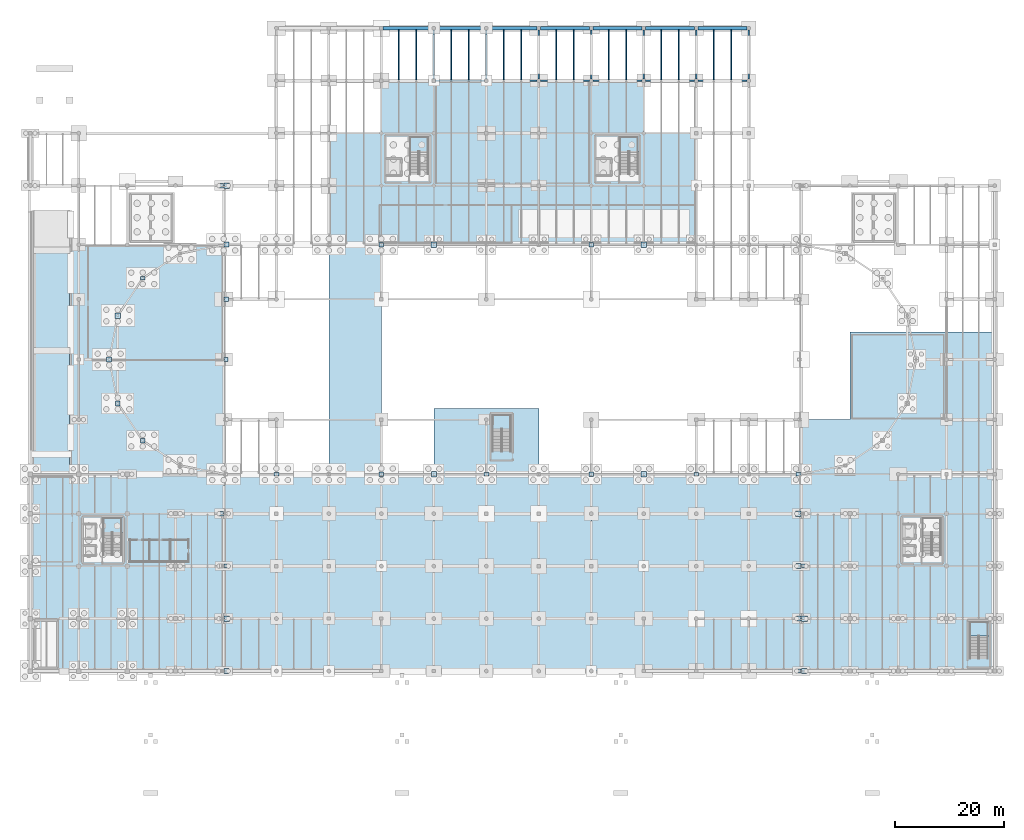
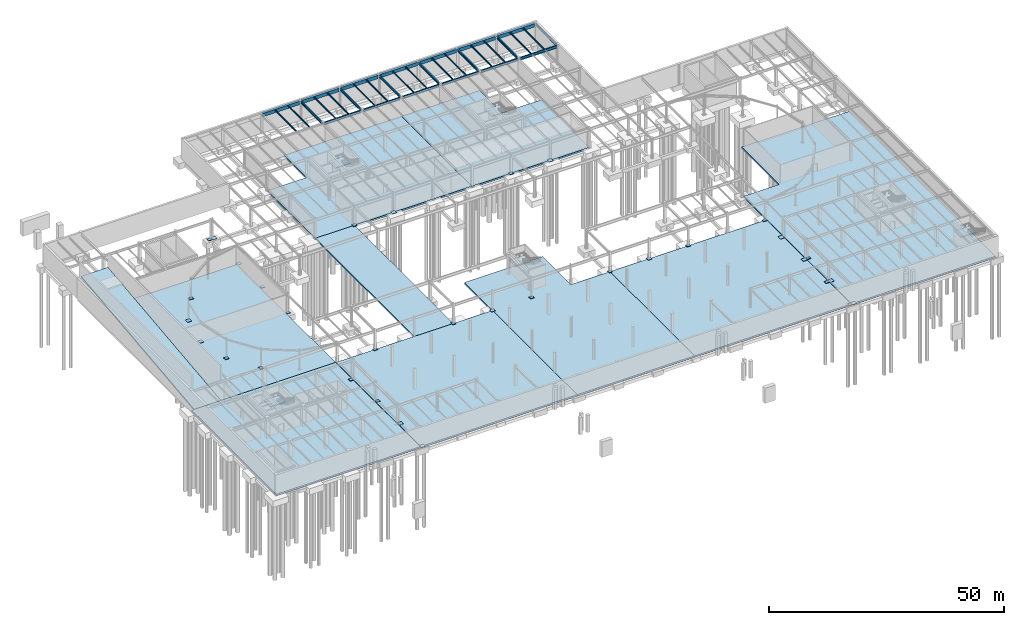
# One storey, part 37 of 50: 34 beams, 33 plates, 15 slabs, 5 elements without a shape of their own.
"""IFC4 building model written with IfcOpenShell, lengths in metres."""

import ifcopenshell
import ifcopenshell.guid

model = None  # the IFC model being written
_history = None  # IfcOwnerHistory: only IFC2X3 demands one
_inside = {}  # id of a spatial element -> (the spatial element, [elements in it])
_under = {}  # id of a project, library or spatial element -> (it, [spatial elements below it])
_declared = {}  # id of a project -> (the project, [libraries it declares])
_typed = {}  # id of a type object -> (the type object, [elements of that type])
_made_of = {}  # id of a material, layer set ... -> (it, [elements and type objects made of it])


def new_model(schema):
    """Start an empty IFC model of exactly this schema.

    Asked for "IFC4X3", IfcOpenShell would pick the latest addendum, in which some entities
    have other attributes; the version numbers below select the first issue.
    IFC2X3 requires an IfcOwnerHistory on every rooted entity: one is made here for all.
    """
    global model, _history
    if schema == "IFC4X3":
        model = ifcopenshell.file(schema_version=(4, 3, 0, 0))
    else:
        model = ifcopenshell.file(schema=schema)
    _inside.clear()
    _under.clear()
    _declared.clear()
    _typed.clear()
    _made_of.clear()
    _history = None
    if model.schema == "IFC2X3":
        org = make("IfcOrganization", Name="unknown")
        user = make(
            "IfcPersonAndOrganization",
            ThePerson=make("IfcPerson", FamilyName="unknown"),
            TheOrganization=org,
        )
        app = make(
            "IfcApplication",
            ApplicationDeveloper=org,
            Version="unknown",
            ApplicationFullName="unknown",
            ApplicationIdentifier="unknown",
        )
        _history = make(
            "IfcOwnerHistory",
            OwningUser=user,
            OwningApplication=app,
            ChangeAction="ADDED",
            CreationDate=0,
        )
    return model


def make(cls, **values):
    """One entity of the class cls with the attributes given. An attribute that is None is left unset."""
    return model.create_entity(
        cls, **{name: value for name, value in values.items() if value is not None}
    )


def rooted(cls, **values):
    """An entity with a GlobalId (a new one), such as an element, a storey or a relation."""
    return make(cls, GlobalId=ifcopenshell.guid.new(), OwnerHistory=_history, **values)


def si_unit(unit_type, name, prefix=None):
    """IfcSIUnit, for example si_unit("LENGTHUNIT", "METRE", prefix="MILLI")."""
    return make("IfcSIUnit", UnitType=unit_type, Prefix=prefix, Name=name)


def assignment(units):
    """IfcUnitAssignment: the units of a project."""
    return None if units is None else make("IfcUnitAssignment", Units=units)


def point(xyz):
    """IfcCartesianPoint."""
    return None if xyz is None else make("IfcCartesianPoint", Coordinates=xyz)


def direction(xyz):
    """IfcDirection."""
    return None if xyz is None else make("IfcDirection", DirectionRatios=xyz)


def frame(location, z_axis=None, x_axis=None):
    """IfcAxis2Placement3D, a coordinate frame: its origin and axes. An axis left out is left unset."""
    return make(
        "IfcAxis2Placement3D",
        Location=point(location),
        Axis=direction(z_axis),
        RefDirection=direction(x_axis),
    )


def frame_2d(location, x_axis=None):
    """IfcAxis2Placement2D, a coordinate frame in the plane: its origin and x axis."""
    return make(
        "IfcAxis2Placement2D", Location=point(location), RefDirection=direction(x_axis)
    )


def origin():
    """The frame at (0, 0, 0) with its axes left unset."""
    return frame((0.0, 0.0, 0.0))


def origin_2d():
    """The frame at (0, 0) in the plane with its x axis left unset."""
    return frame_2d((0.0, 0.0))


def place(relative_to, where):
    """IfcLocalPlacement: puts the frame where relative to a parent placement (None: the world)."""
    return make(
        "IfcLocalPlacement", PlacementRelTo=relative_to, RelativePlacement=where
    )


def context(
    kind, dimensions, precision=None, world=None, true_north=None, identifier=None
):
    """IfcGeometricRepresentationContext, for example the 3D "Model" context."""
    return make(
        "IfcGeometricRepresentationContext",
        ContextIdentifier=identifier,
        ContextType=kind,
        CoordinateSpaceDimension=dimensions,
        Precision=precision,
        WorldCoordinateSystem=world,
        TrueNorth=true_north,
    )


def subcontext(parent, identifier, kind, view, scale=None):
    """IfcGeometricRepresentationSubContext, for example "Body" below "Model"."""
    return make(
        "IfcGeometricRepresentationSubContext",
        ContextIdentifier=identifier,
        ContextType=kind,
        ParentContext=parent,
        TargetScale=scale,
        TargetView=view,
    )


def project(units=None, contexts=None):
    """IfcProject with its units and contexts."""
    return rooted(
        "IfcProject",
        Name="project",
        RepresentationContexts=contexts,
        UnitsInContext=assignment(units),
    )


def spatial(cls, under=None, at=None, **own):
    """A site, building, storey or space (cls), placed at a placement, below another one or the project."""
    s = rooted(cls, ObjectPlacement=at, **own)
    if under is not None:
        _under.setdefault(under.id(), (under, []))[1].append(s)
    return s


def polyline(points):
    """IfcPolyline through the points."""
    return make("IfcPolyline", Points=[point(p) for p in points])


def profile(cls, at=None, kind="AREA", **sizes):
    """A parametric profile (cls). Its sizes go by their IFC names, for example OverallWidth=200.0."""
    return make(cls, ProfileType=kind, Position=at, **sizes)


def rectangle(**sizes):
    """IfcRectangleProfileDef."""
    return profile("IfcRectangleProfileDef", **sizes)


def i_section(**sizes):
    """IfcIShapeProfileDef."""
    return profile("IfcIShapeProfileDef", **sizes)


def outline(outer, holes=None, kind="AREA"):
    """IfcArbitraryClosedProfileDef: a profile drawn as a closed curve; with holes, ...WithVoids."""
    if holes is None:
        return make("IfcArbitraryClosedProfileDef", ProfileType=kind, OuterCurve=outer)
    return make(
        "IfcArbitraryProfileDefWithVoids",
        ProfileType=kind,
        OuterCurve=outer,
        InnerCurves=holes,
    )


def extrude(swept, where, along, depth):
    """IfcExtrudedAreaSolid: the profile swept, set in the frame where, extruded along a direction by depth."""
    return make(
        "IfcExtrudedAreaSolid",
        SweptArea=swept,
        Position=where,
        ExtrudedDirection=direction(along),
        Depth=depth,
    )


def shape(context_of_items, identifier, shape_type, items):
    """IfcShapeRepresentation: the items that make up one representation, for example the "Body"."""
    return make(
        "IfcShapeRepresentation",
        ContextOfItems=context_of_items,
        RepresentationIdentifier=identifier,
        RepresentationType=shape_type,
        Items=items,
    )


def material(Name=None, Category=None):
    """IfcMaterial."""
    return make("IfcMaterial", Name=Name, Category=Category)


def layer(
    of_material, thickness, ventilated=None, Name=None, Category=None, Priority=None
):
    """IfcMaterialLayer: one layer of a wall or slab, of a material (None: an air gap)."""
    return make(
        "IfcMaterialLayer",
        Material=of_material,
        LayerThickness=thickness,
        IsVentilated=ventilated,
        Name=Name,
        Category=Category,
        Priority=Priority,
    )


def layer_set(layers, Name=None):
    """IfcMaterialLayerSet."""
    return make("IfcMaterialLayerSet", MaterialLayers=layers, LayerSetName=Name)


def material_profile(
    of_material, cross_section, Name=None, Category=None, Priority=None
):
    """IfcMaterialProfile: a cross section and its material."""
    return make(
        "IfcMaterialProfile",
        Name=Name,
        Material=of_material,
        Profile=cross_section,
        Priority=Priority,
        Category=Category,
    )


def profile_set(profiles, Name=None, composite=None):
    """IfcMaterialProfileSet."""
    return make(
        "IfcMaterialProfileSet",
        Name=Name,
        MaterialProfiles=profiles,
        CompositeProfile=composite,
    )


def made_of(thing, what):
    """Note that an element or type object is made of a material, layer set ...; save() writes the relation."""
    if what is not None:
        _made_of.setdefault(what.id(), (what, []))[1].append(thing)
    return thing


def type_object(cls, material=None, **own):
    """A type object (cls), such as IfcWallType, which elements share."""
    return made_of(rooted(cls, **own), material)


def element(
    cls,
    number,
    at=None,
    inside=None,
    cuts=None,
    type_object=None,
    material=None,
    context=None,
    identifier="Body",
    shape_type=None,
    held_by="IfcProductDefinitionShape",
    body=None,
    shapes=None,
    **own,
):
    """One element of the class cls, such as IfcWall. Its Tag is "e" and its number.

    at: its placement. inside: the storey or other place that contains it. cuts: it is an
    opening in that element (IfcRelVoidsElement). A single representation is given by context,
    identifier, shape_type and body (its items); several are given by shapes. held_by: the class
    of the entity that holds the representations. save() writes the other relations.
    """
    e = rooted(cls, Tag="e%d" % number, ObjectPlacement=at, **own)
    if body is not None:
        shapes = [shape(context, identifier, shape_type, body)]
    if shapes is not None:
        e.Representation = make(held_by, Representations=shapes)
    if inside is not None:
        _inside.setdefault(inside.id(), (inside, []))[1].append(e)
    if cuts is not None:
        rooted(
            "IfcRelVoidsElement", RelatingBuildingElement=cuts, RelatedOpeningElement=e
        )
    if type_object is not None:
        _typed.setdefault(type_object.id(), (type_object, []))[1].append(e)
    return made_of(e, material)


def aggregate(whole, parts):
    """IfcRelAggregates: a whole, such as a stair, and the parts it consists of."""
    return rooted("IfcRelAggregates", RelatingObject=whole, RelatedObjects=parts)


def save(model, path):
    """Write the relations noted so far, then the file.

    IfcRelAggregates (storeys below a building ...), IfcRelContainedInSpatialStructure (elements
    in a storey), IfcRelDefinesByType, IfcRelAssociatesMaterial and IfcRelDeclares: one each for
    every whole, place, type object, material and project.
    """
    for whole, parts in _under.values():
        aggregate(whole, parts)
    for where, things in _inside.values():
        rooted(
            "IfcRelContainedInSpatialStructure",
            RelatedElements=things,
            RelatingStructure=where,
        )
    for kind, things in _typed.values():
        rooted("IfcRelDefinesByType", RelatedObjects=things, RelatingType=kind)
    for what, things in _made_of.values():
        rooted("IfcRelAssociatesMaterial", RelatedObjects=things, RelatingMaterial=what)
    for by, libraries in _declared.values():
        rooted("IfcRelDeclares", RelatingContext=by, RelatedDefinitions=libraries)
    model.write(path)


model = new_model("IFC4")

# Units and contexts
model_context = context("Model", 3, precision=1e-05, world=origin(), true_north=direction((0.0, 1.0)))
body_context = subcontext(model_context, "Body", "Model", "MODEL_VIEW")
ifc_project = project(units=[si_unit("LENGTHUNIT", "METRE"), si_unit("AREAUNIT", "SQUARE_METRE"), si_unit("VOLUMEUNIT", "CUBIC_METRE"), si_unit("PLANEANGLEUNIT", "RADIAN"), si_unit("MASSUNIT", "GRAM", prefix="KILO")], contexts=[model_context])

# Site, building, storey
site_placement = place(None, origin())
site = spatial("IfcSite", under=ifc_project, at=site_placement, CompositionType="ELEMENT")
building_placement = place(site_placement, origin())
building = spatial("IfcBuilding", under=site, at=building_placement, Name="Yeouljin Market Hall", CompositionType="ELEMENT")
storey_placement = place(building_placement, frame((0.0, 0.0, -5.39990234375)))
storey = spatial("IfcBuildingStorey", under=building, at=storey_placement, Name="B1", CompositionType="ELEMENT", Elevation=-5.39990234375)

# Beams
ifc_material_1 = material(Name="Steel SM355", Category="steel")
ifc_material_profile_1 = material_profile(ifc_material_1, i_section(OverallWidth=0.300048828125, OverallDepth=0.587890625, WebThickness=0.011962890625, FlangeThickness=0.02001953125, FilletRadius=0.02392578125, at=origin_2d()), Name="H-588x300x12x20")
ifc_profile_set_1 = profile_set([ifc_material_profile_1], Name="Steel SM355")
beam_type_1 = type_object("IfcBeamType", Name="Girder_H-588x300x12x20", PredefinedType="USERDEFINED", material=ifc_profile_set_1)
beam_1_placement = place(storey_placement, frame((73.800048828125, 108.300048828125, 4.785888671875), z_axis=(0.0, 1.0, 0.0), x_axis=(-1.0, 0.0, 0.0)))
element("IfcBeam", 1, at=beam_1_placement, inside=storey, type_object=beam_type_1, Name="Primary beam BM-L00-Y194", ObjectType="GIRDER", PredefinedType="USERDEFINED", context=body_context, shape_type="SweptSolid", body=[
    extrude(i_section(OverallWidth=0.300048828125, OverallDepth=0.587890625, WebThickness=0.011962890625, FlangeThickness=0.02001953125, FilletRadius=0.02392578125, at=origin_2d()), origin(), (0.0, 0.0, 1.0), 8.949951171875),
])
for number, where, z_axis, x_axis, name in (
    (2, (83.39990234375, 108.35009765625, 4.785888671875), (0.0, 1.0, 0.0), (-1.0, 0.0, 0.0), "Primary beam BM-L00-Y200"),
    (3, (93.0, 108.35009765625, 4.785888671875), (0.0, 1.0, 0.0), (-1.0, 0.0, 0.0), "Primary beam BM-L00-Y204"),
):
    element("IfcBeam", number, at=place(storey_placement, frame(where, z_axis=z_axis, x_axis=x_axis)), inside=storey, type_object=beam_type_1, Name=name, ObjectType="GIRDER", PredefinedType="USERDEFINED", context=body_context, shape_type="SweptSolid", body=[
        extrude(i_section(OverallWidth=0.300048828125, OverallDepth=0.587890625, WebThickness=0.011962890625, FlangeThickness=0.02001953125, FilletRadius=0.02392578125, at=origin_2d()), origin(), (0.0, 0.0, 1.0), 8.89990234375),
    ])
beam_2_placement = place(storey_placement, frame((102.60009765625, 108.35009765625, 4.785888671875), z_axis=(0.0, 1.0, 0.0), x_axis=(-1.0, 0.0, 0.0)))
element("IfcBeam", 4, at=beam_2_placement, inside=storey, type_object=beam_type_1, Name="Primary beam BM-L00-Y210", ObjectType="GIRDER", PredefinedType="USERDEFINED", context=body_context, shape_type="SweptSolid", body=[
    extrude(i_section(OverallWidth=0.300048828125, OverallDepth=0.587890625, WebThickness=0.011962890625, FlangeThickness=0.02001953125, FilletRadius=0.02392578125, at=origin_2d()), origin(), (0.0, 0.0, 1.0), 8.949951171875),
])
beam_3_placement = place(storey_placement, frame((112.199951171875, 108.300048828125, 4.785888671875), z_axis=(0.0, 1.0, 0.0), x_axis=(-1.0, 0.0, 0.0)))
element("IfcBeam", 5, at=beam_3_placement, inside=storey, type_object=beam_type_1, Name="Primary beam BM-L00-Y215", ObjectType="GIRDER", PredefinedType="USERDEFINED", context=body_context, shape_type="SweptSolid", body=[
    extrude(i_section(OverallWidth=0.300048828125, OverallDepth=0.587890625, WebThickness=0.011962890625, FlangeThickness=0.02001953125, FilletRadius=0.02392578125, at=origin_2d()), origin(), (0.0, 0.0, 1.0), 9.0),
])
beam_4_placement = place(storey_placement, frame((121.800048828125, 108.300048828125, 4.765869140625), z_axis=(0.0, 1.0, 0.0), x_axis=(-1.0, 0.0, 0.0)))
element("IfcBeam", 6, at=beam_4_placement, inside=storey, type_object=beam_type_1, Name="Primary beam BM-L00-Y222", ObjectType="GIRDER", PredefinedType="USERDEFINED", context=body_context, shape_type="SweptSolid", body=[
    extrude(i_section(OverallWidth=0.300048828125, OverallDepth=0.587890625, WebThickness=0.011962890625, FlangeThickness=0.02001953125, FilletRadius=0.02392578125, at=origin_2d()), origin(), (0.0, 0.0, 1.0), 8.949951171875),
])
beam_5_placement = place(storey_placement, frame((131.39990234375, 108.35009765625, 4.765869140625), z_axis=(0.0, 1.0, 0.0), x_axis=(-1.0, 0.0, 0.0)))
element("IfcBeam", 7, at=beam_5_placement, inside=storey, type_object=beam_type_1, Name="Primary beam BM-L00-Y229", ObjectType="GIRDER", PredefinedType="USERDEFINED", context=body_context, shape_type="SweptSolid", body=[
    extrude(i_section(OverallWidth=0.300048828125, OverallDepth=0.587890625, WebThickness=0.011962890625, FlangeThickness=0.02001953125, FilletRadius=0.02392578125, at=origin_2d()), origin(), (0.0, 0.0, 1.0), 8.89990234375),
])
ifc_material_2 = material(Name="Steel SM355", Category="steel")
ifc_material_profile_2 = material_profile(ifc_material_2, i_section(OverallWidth=0.300048828125, OverallDepth=0.699951171875, WebThickness=0.012939453125, FlangeThickness=0.02392578125, FilletRadius=0.02587890625, at=origin_2d()), Name="H-700x300x13x24")
ifc_profile_set_2 = profile_set([ifc_material_profile_2], Name="Steel SM355")
beam_type_2 = type_object("IfcBeamType", Name="Girder_H-700x300x13x24", PredefinedType="USERDEFINED", material=ifc_profile_set_2)
beam_6_placement = place(storey_placement, frame((74.10009765625, 108.0, 4.72998046875), z_axis=(1.0, 0.0, 0.0), x_axis=(0.0, 1.0, 0.0)))
element("IfcBeam", 8, at=beam_6_placement, inside=storey, type_object=beam_type_2, Name="Primary girder GRD-L00-X122", ObjectType="GIRDER", PredefinedType="USERDEFINED", context=body_context, shape_type="SweptSolid", body=[
    extrude(i_section(OverallWidth=0.300048828125, OverallDepth=0.699951171875, WebThickness=0.012939453125, FlangeThickness=0.02392578125, FilletRadius=0.02587890625, at=origin_2d()), origin(), (0.0, 0.0, 1.0), 8.949951171875),
])
for number, where, z_axis, x_axis, name in (
    (9, (83.75, 108.0, 4.72998046875), (1.0, 0.0, 0.0), (0.0, 1.0, 0.0), "Primary girder GRD-L00-X123"),
    (10, (93.35009765625, 108.0, 4.72998046875), (1.0, 0.0, 0.0), (0.0, 1.0, 0.0), "Primary girder GRD-L00-X124"),
):
    element("IfcBeam", number, at=place(storey_placement, frame(where, z_axis=z_axis, x_axis=x_axis)), inside=storey, type_object=beam_type_2, Name=name, ObjectType="GIRDER", PredefinedType="USERDEFINED", context=body_context, shape_type="SweptSolid", body=[
        extrude(i_section(OverallWidth=0.300048828125, OverallDepth=0.699951171875, WebThickness=0.012939453125, FlangeThickness=0.02392578125, FilletRadius=0.02587890625, at=origin_2d()), origin(), (0.0, 0.0, 1.0), 8.89990234375),
    ])
beam_7_placement = place(storey_placement, frame((102.949951171875, 108.0, 4.72998046875), z_axis=(1.0, 0.0, 0.0), x_axis=(0.0, 1.0, 0.0)))
element("IfcBeam", 11, at=beam_7_placement, inside=storey, type_object=beam_type_2, Name="Primary girder GRD-L00-X125", ObjectType="GIRDER", PredefinedType="USERDEFINED", context=body_context, shape_type="SweptSolid", body=[
    extrude(i_section(OverallWidth=0.300048828125, OverallDepth=0.699951171875, WebThickness=0.012939453125, FlangeThickness=0.02392578125, FilletRadius=0.02587890625, at=origin_2d()), origin(), (0.0, 0.0, 1.0), 8.949951171875),
])
beam_8_placement = place(storey_placement, frame((112.5, 108.0, 4.72998046875), z_axis=(1.0, 0.0, 0.0), x_axis=(0.0, 1.0, 0.0)))
element("IfcBeam", 12, at=beam_8_placement, inside=storey, type_object=beam_type_2, Name="Primary girder GRD-L00-X126", ObjectType="GIRDER", PredefinedType="USERDEFINED", context=body_context, shape_type="SweptSolid", body=[
    extrude(i_section(OverallWidth=0.300048828125, OverallDepth=0.699951171875, WebThickness=0.012939453125, FlangeThickness=0.02392578125, FilletRadius=0.02587890625, at=origin_2d()), origin(), (0.0, 0.0, 1.0), 9.0),
])
beam_9_placement = place(storey_placement, frame((122.10009765625, 108.0, 4.7099609375), z_axis=(1.0, 0.0, 0.0), x_axis=(0.0, 1.0, 0.0)))
element("IfcBeam", 13, at=beam_9_placement, inside=storey, type_object=beam_type_2, Name="Primary girder GRD-L00-X127", ObjectType="GIRDER", PredefinedType="USERDEFINED", context=body_context, shape_type="SweptSolid", body=[
    extrude(i_section(OverallWidth=0.300048828125, OverallDepth=0.699951171875, WebThickness=0.012939453125, FlangeThickness=0.02392578125, FilletRadius=0.02587890625, at=origin_2d()), origin(), (0.0, 0.0, 1.0), 8.949951171875),
])
ifc_material_3 = material(Name="Concrete C35/45", Category="concrete")
ifc_material_profile_3 = material_profile(ifc_material_3, rectangle(XDim=0.60009765625, YDim=0.89990234375, at=origin_2d()), Name="RC-600x900")
ifc_profile_set_3 = profile_set([ifc_material_profile_3], Name="Concrete C35/45")
beam_type_3 = type_object("IfcBeamType", Name="Girder_RC-600x900", PredefinedType="USERDEFINED", material=ifc_profile_set_3)
beam_10_placement = place(storey_placement, frame((64.5, 117.60009765625, 4.6298828125), z_axis=(1.0, 0.0, 0.0), x_axis=(0.0, 1.0, 0.0)))
element("IfcBeam", 14, at=beam_10_placement, inside=storey, type_object=beam_type_3, Name="Primary girder GRD-L00-X130", ObjectType="GIRDER", PredefinedType="USERDEFINED", context=body_context, shape_type="SweptSolid", body=[
    extrude(rectangle(XDim=0.60009765625, YDim=0.89990234375, at=origin_2d()), origin(), (0.0, 0.0, 1.0), 8.949951171875),
])
beam_11_placement = place(storey_placement, frame((74.14990234375, 117.60009765625, 4.6298828125), z_axis=(1.0, 0.0, 0.0), x_axis=(0.0, 1.0, 0.0)))
element("IfcBeam", 15, at=beam_11_placement, inside=storey, type_object=beam_type_3, Name="Primary girder GRD-L00-X131", ObjectType="GIRDER", PredefinedType="USERDEFINED", context=body_context, shape_type="SweptSolid", body=[
    extrude(rectangle(XDim=0.60009765625, YDim=0.89990234375, at=origin_2d()), origin(), (0.0, 0.0, 1.0), 8.900146484375),
])
beam_12_placement = place(storey_placement, frame((83.75, 117.60009765625, 4.6298828125), z_axis=(1.0, 0.0, 0.0), x_axis=(0.0, 1.0, 0.0)))
element("IfcBeam", 16, at=beam_12_placement, inside=storey, type_object=beam_type_3, Name="Primary girder GRD-L00-X132", ObjectType="GIRDER", PredefinedType="USERDEFINED", context=body_context, shape_type="SweptSolid", body=[
    extrude(rectangle(XDim=0.60009765625, YDim=0.89990234375, at=origin_2d()), origin(), (0.0, 0.0, 1.0), 8.89990234375),
])
beam_13_placement = place(storey_placement, frame((93.35009765625, 117.60009765625, 4.6298828125), z_axis=(1.0, 0.0, 0.0), x_axis=(0.0, 1.0, 0.0)))
element("IfcBeam", 17, at=beam_13_placement, inside=storey, type_object=beam_type_3, Name="Primary girder GRD-L00-X133", ObjectType="GIRDER", PredefinedType="USERDEFINED", context=body_context, shape_type="SweptSolid", body=[
    extrude(rectangle(XDim=0.60009765625, YDim=0.89990234375, at=origin_2d()), origin(), (0.0, 0.0, 1.0), 8.949951171875),
])
beam_14_placement = place(storey_placement, frame((102.89990234375, 117.60009765625, 4.6298828125), z_axis=(1.0, 0.0, 0.0), x_axis=(0.0, 1.0, 0.0)))
element("IfcBeam", 18, at=beam_14_placement, inside=storey, type_object=beam_type_3, Name="Primary girder GRD-L00-X134", ObjectType="GIRDER", PredefinedType="USERDEFINED", context=body_context, shape_type="SweptSolid", body=[
    extrude(rectangle(XDim=0.60009765625, YDim=0.89990234375, at=origin_2d()), origin(), (0.0, 0.0, 1.0), 9.0),
])
beam_15_placement = place(storey_placement, frame((112.5, 117.60009765625, 4.6298828125), z_axis=(1.0, 0.0, 0.0), x_axis=(0.0, 1.0, 0.0)))
element("IfcBeam", 19, at=beam_15_placement, inside=storey, type_object=beam_type_3, Name="Primary girder GRD-L00-X135", ObjectType="GIRDER", PredefinedType="USERDEFINED", context=body_context, shape_type="SweptSolid", body=[
    extrude(rectangle(XDim=0.60009765625, YDim=0.89990234375, at=origin_2d()), origin(), (0.0, 0.0, 1.0), 8.949951171875),
])
beam_16_placement = place(storey_placement, frame((122.14990234375, 117.60009765625, 4.60986328125), z_axis=(1.0, 0.0, 0.0), x_axis=(0.0, 1.0, 0.0)))
element("IfcBeam", 20, at=beam_16_placement, inside=storey, type_object=beam_type_3, Name="Primary girder GRD-L00-X136", ObjectType="GIRDER", PredefinedType="USERDEFINED", context=body_context, shape_type="SweptSolid", body=[
    extrude(rectangle(XDim=0.60009765625, YDim=0.89990234375, at=origin_2d()), origin(), (0.0, 0.0, 1.0), 8.900146484375),
])
ifc_material_4 = material(Name="Steel SM355", Category="steel")
ifc_material_profile_4 = material_profile(ifc_material_4, i_section(OverallWidth=0.175048828125, OverallDepth=0.35009765625, WebThickness=0.007080078125, FlangeThickness=0.010986328125, FilletRadius=0.013916015625, at=origin_2d()), Name="H-350x175x7x11")
ifc_profile_set_4 = profile_set([ifc_material_profile_4], Name="Steel SM355")
beam_type_4 = type_object("IfcBeamType", Name="Joist_H-350x175x7x11", PredefinedType="JOIST", material=ifc_profile_set_4)
for number, where, z_axis, x_axis, name in (
    (21, (67.39990234375, 108.14697265625, 4.90478515625), (0.0, 1.0, 0.0), (-1.0, 0.0, 0.0), "Secondary floor joist L00-059"),
    (22, (70.60009765625, 108.14697265625, 4.90478515625), (0.0, 1.0, 0.0), (-1.0, 0.0, 0.0), "Secondary floor joist L00-060"),
    (23, (77.0, 108.14697265625, 4.90478515625), (0.0, 1.0, 0.0), (-1.0, 0.0, 0.0), "Secondary floor joist L00-067"),
    (24, (80.199951171875, 108.14697265625, 4.90478515625), (0.0, 1.0, 0.0), (-1.0, 0.0, 0.0), "Secondary floor joist L00-068"),
    (25, (86.60009765625, 108.14697265625, 4.90478515625), (0.0, 1.0, 0.0), (-1.0, 0.0, 0.0), "Secondary floor joist L00-075"),
    (26, (89.800048828125, 108.14697265625, 4.90478515625), (0.0, 1.0, 0.0), (-1.0, 0.0, 0.0), "Secondary floor joist L00-076"),
    (27, (96.199951171875, 108.14697265625, 4.90478515625), (0.0, 1.0, 0.0), (-1.0, 0.0, 0.0), "Secondary floor joist L00-083"),
    (28, (99.39990234375, 108.14697265625, 4.90478515625), (0.0, 1.0, 0.0), (-1.0, 0.0, 0.0), "Secondary floor joist L00-084"),
    (29, (105.800048828125, 108.14697265625, 4.90478515625), (0.0, 1.0, 0.0), (-1.0, 0.0, 0.0), "Secondary floor joist L00-089"),
    (30, (109.0, 108.14697265625, 4.90478515625), (0.0, 1.0, 0.0), (-1.0, 0.0, 0.0), "Secondary floor joist L00-090"),
    (31, (115.39990234375, 108.14697265625, 4.90478515625), (0.0, 1.0, 0.0), (-1.0, 0.0, 0.0), "Secondary floor joist L00-097"),
    (32, (118.60009765625, 108.14697265625, 4.90478515625), (0.0, 1.0, 0.0), (-1.0, 0.0, 0.0), "Secondary floor joist L00-098"),
    (33, (125.0, 108.14697265625, 4.885009765625), (0.0, 1.0, 0.0), (-1.0, 0.0, 0.0), "Secondary floor joist L00-111"),
    (34, (128.199951171875, 108.14697265625, 4.885009765625), (0.0, 1.0, 0.0), (-1.0, 0.0, 0.0), "Secondary floor joist L00-112"),
):
    element("IfcBeam", number, at=place(storey_placement, frame(where, z_axis=z_axis, x_axis=x_axis)), inside=storey, type_object=beam_type_4, Name=name, PredefinedType="JOIST", context=body_context, shape_type="SweptSolid", body=[
        extrude(i_section(OverallWidth=0.175048828125, OverallDepth=0.35009765625, WebThickness=0.007080078125, FlangeThickness=0.010986328125, FilletRadius=0.013916015625, at=origin_2d()), origin(), (0.0, 0.0, 1.0), 9.156005859375),
    ])

# Plates
ifc_material_5 = material(Name="Steel SM355", Category="steel")
ifc_layer_1 = layer(ifc_material_5, 0.0400390625)
ifc_layer_set_1 = layer_set([ifc_layer_1], Name="Steel SM355")
plate_type_1 = type_object("IfcPlateType", Name="BasePlate_1020x1020x40", PredefinedType="USERDEFINED", material=ifc_layer_set_1)
for number, where, z_axis, x_axis, name in (
    (35, (35.919921875, 9.60009765625, 0.0), (0.0, 0.0, 1.0), (1.0, 0.0, 0.0), "Column base plate 007"),
    (36, (35.919921875, 88.800048828125, 0.0), (0.0, 0.0, 1.0), (1.0, 0.0, 0.0), "Column base plate 015"),
    (37, (73.800048828125, 78.0, 0.0), (0.0, 0.0, 1.0), (1.0, 0.0, 0.0), "Column base plate 023"),
    (38, (112.199951171875, 78.0, 0.0), (0.0, 0.0, 1.0), (1.0, 0.0, 0.0), "Column base plate 031"),
    (39, (140.47998046875, 28.800048828125, 0.0), (0.0, 0.0, 1.0), (1.0, 0.0, 0.0), "Column base plate 039"),
    (40, (141.60009765625, 9.60009765625, 0.0), (0.0, 0.0, 1.0), (1.0, 0.0, 0.0), "Column base plate 047"),
    (41, (15.99853515625, 65.036376953125, 0.0), (0.0, 0.0, 1.0), (1.0, 0.0, 0.0), "Column base plate 055"),
):
    element("IfcPlate", number, at=place(storey_placement, frame(where, z_axis=z_axis, x_axis=x_axis)), inside=storey, type_object=plate_type_1, Name=name, ObjectType="BASE PLATE", PredefinedType="USERDEFINED", context=body_context, shape_type="SweptSolid", body=[
        extrude(rectangle(XDim=1.02001953125, YDim=1.02001953125, at=origin_2d()), origin(), (0.0, 0.0, 1.0), 0.0400390625),
    ])
ifc_material_6 = material(Name="Steel SM355", Category="steel")
ifc_layer_2 = layer(ifc_material_6, 0.034912109375)
ifc_layer_set_2 = layer_set([ifc_layer_2], Name="Steel SM355")
plate_type_2 = type_object("IfcPlateType", Name="BasePlate_780x780x35", PredefinedType="USERDEFINED", material=ifc_layer_set_2)
for number, where, z_axis, x_axis, name in (
    (42, (34.919921875, 28.800048828125, 0.0), (0.0, 0.0, 1.0), (1.0, 0.0, 0.0), "Column base plate 004"),
    (43, (35.800048828125, 57.0, 0.0), (0.0, 0.0, 1.0), (1.0, 0.0, 0.0), "Column base plate 012"),
    (44, (64.199951171875, 36.0, 0.0), (0.0, 0.0, 1.0), (1.0, 0.0, 0.0), "Column base plate 020"),
    (45, (102.60009765625, 36.0, 0.0), (0.0, 0.0, 1.0), (1.0, 0.0, 0.0), "Column base plate 028"),
    (46, (140.60009765625, 0.0, 0.0), (0.0, 0.0, 1.0), (1.0, 0.0, 0.0), "Column base plate 036"),
    (47, (20.55078125, 42.15087890625, 0.0), (0.0, 0.0, 1.0), (1.0, 0.0, 0.0), "Column base plate 052"),
):
    element("IfcPlate", number, at=place(storey_placement, frame(where, z_axis=z_axis, x_axis=x_axis)), inside=storey, type_object=plate_type_2, Name=name, ObjectType="BASE PLATE", PredefinedType="USERDEFINED", context=body_context, shape_type="SweptSolid", body=[
        extrude(rectangle(XDim=0.780029296875, YDim=0.780029296875, at=origin_2d()), origin(), (0.0, 0.0, 1.0), 0.034912109375),
    ])
ifc_material_7 = material(Name="Steel SM355", Category="steel")
ifc_layer_3 = layer(ifc_material_7, 0.035888671875)
ifc_layer_set_3 = layer_set([ifc_layer_3], Name="Steel SM355")
plate_type_3 = type_object("IfcPlateType", Name="BasePlate_860x860x36", PredefinedType="USERDEFINED", material=ifc_layer_set_3)
for number, where, z_axis, x_axis, name in (
    (48, (34.8798828125, 88.800048828125, 0.0), (0.0, 0.0, 1.0), (1.0, 0.0, 0.0), "Column base plate 005"),
    (49, (35.840087890625, 68.0, 0.0), (0.0, 0.0, 1.0), (1.0, 0.0, 0.0), "Column base plate 013"),
    (50, (64.199951171875, 78.0, 0.0), (0.0, 0.0, 1.0), (1.0, 0.0, 0.0), "Column base plate 021"),
    (51, (102.60009765625, 78.0, 0.0), (0.0, 0.0, 1.0), (1.0, 0.0, 0.0), "Column base plate 029"),
    (52, (140.56005859375, 9.60009765625, 0.0), (0.0, 0.0, 1.0), (1.0, 0.0, 0.0), "Column base plate 037"),
    (53, (15.99853515625, 48.963623046875, 0.0), (0.0, 0.0, 1.0), (1.0, 0.0, 0.0), "Column base plate 053"),
):
    element("IfcPlate", number, at=place(storey_placement, frame(where, z_axis=z_axis, x_axis=x_axis)), inside=storey, type_object=plate_type_3, Name=name, ObjectType="BASE PLATE", PredefinedType="USERDEFINED", context=body_context, shape_type="SweptSolid", body=[
        extrude(rectangle(XDim=0.860107421875, YDim=0.860107421875, at=origin_2d()), origin(), (0.0, 0.0, 1.0), 0.035888671875),
    ])
ifc_material_8 = material(Name="Steel SM355", Category="steel")
ifc_layer_4 = layer(ifc_material_8, 0.035888671875)
ifc_layer_set_4 = layer_set([ifc_layer_4], Name="Steel SM355")
plate_type_4 = type_object("IfcPlateType", Name="BasePlate_900x700x36", PredefinedType="USERDEFINED", material=ifc_layer_set_4)
for number, where, z_axis, x_axis, name in (
    (54, (35.860107421875, 19.199951171875, 0.0), (0.0, 0.0, 1.0), (1.0, 0.0, 0.0), "Column base plate 008"),
    (55, (45.0, 36.0, 0.0), (0.0, 0.0, 1.0), (1.0, 0.0, 0.0), "Column base plate 016"),
    (56, (83.39990234375, 36.0, 0.0), (0.0, 0.0, 1.0), (1.0, 0.0, 0.0), "Column base plate 024"),
    (57, (121.800048828125, 36.0, 0.0), (0.0, 0.0, 1.0), (1.0, 0.0, 0.0), "Column base plate 032"),
    (58, (140.5400390625, 36.0, 0.0), (0.0, 0.0, 1.0), (1.0, 0.0, 0.0), "Column base plate 040"),
    (59, (141.5400390625, 19.199951171875, 0.0), (0.0, 0.0, 1.0), (1.0, 0.0, 0.0), "Column base plate 048"),
    (60, (20.55078125, 71.84912109375, 0.0), (0.0, 0.0, 1.0), (1.0, 0.0, 0.0), "Column base plate 056"),
):
    element("IfcPlate", number, at=place(storey_placement, frame(where, z_axis=z_axis, x_axis=x_axis)), inside=storey, type_object=plate_type_4, Name=name, ObjectType="BASE PLATE", PredefinedType="USERDEFINED", context=body_context, shape_type="SweptSolid", body=[
        extrude(rectangle(XDim=0.89990234375, YDim=0.699951171875, at=origin_2d()), origin(), (0.0, 0.0, 1.0), 0.035888671875),
    ])
ifc_material_9 = material(Name="Steel SM355", Category="steel")
ifc_layer_5 = layer(ifc_material_9, 0.0380859375)
ifc_layer_set_5 = layer_set([ifc_layer_5], Name="Steel SM355")
plate_type_5 = type_object("IfcPlateType", Name="BasePlate_940x940x38", PredefinedType="USERDEFINED", material=ifc_layer_set_5)
for number, where, z_axis, x_axis, name in (
    (61, (35.8798828125, 0.0, -0.000244140625), (0.0, 0.0, 1.0), (1.0, 0.0, 0.0), "Column base plate 006"),
    (62, (35.8798828125, 78.0, -0.000244140625), (0.0, 0.0, 1.0), (1.0, 0.0, 0.0), "Column base plate 014"),
    (63, (73.800048828125, 36.0, -0.000244140625), (0.0, 0.0, 1.0), (1.0, 0.0, 0.0), "Column base plate 022"),
    (64, (112.199951171875, 36.0, -0.000244140625), (0.0, 0.0, 1.0), (1.0, 0.0, 0.0), "Column base plate 030"),
    (65, (140.52001953125, 19.199951171875, -0.000244140625), (0.0, 0.0, 1.0), (1.0, 0.0, 0.0), "Column base plate 038"),
    (66, (141.56005859375, 0.0, -0.000244140625), (0.0, 0.0, 1.0), (1.0, 0.0, 0.0), "Column base plate 046"),
    (67, (14.39990234375, 57.0, -0.000244140625), (0.0, 0.0, 1.0), (1.0, 0.0, 0.0), "Column base plate 054"),
):
    element("IfcPlate", number, at=place(storey_placement, frame(where, z_axis=z_axis, x_axis=x_axis)), inside=storey, type_object=plate_type_5, Name=name, ObjectType="BASE PLATE", PredefinedType="USERDEFINED", context=body_context, shape_type="SweptSolid", body=[
        extrude(rectangle(XDim=0.93994140625, YDim=0.93994140625, at=origin_2d()), origin(), (0.0, 0.0, 1.0), 0.0380859375),
    ])

# Slabs
ifc_material_10 = material(Name="Concrete C35/45", Category="concrete")
ifc_layer_6 = layer(ifc_material_10, 0.3798828125)
ifc_layer_set_6 = layer_set([ifc_layer_6], Name="Concrete C35/45")
slab_type_1 = type_object("IfcSlabType", Name="SLB_BASE_380", PredefinedType="BASESLAB", material=ifc_layer_set_6)
slab_1_placement = place(storey_placement, frame((0.0, 0.0, -0.380126953125)))
element("IfcSlab", 68, at=slab_1_placement, inside=storey, type_object=slab_type_1, Name="Structural slab SLB-B1-W2", PredefinedType="BASESLAB", context=body_context, shape_type="SweptSolid", body=[
    extrude(outline(polyline([(7.199951171875, 36.0), (35.320068359375, 36.0), (35.320068359375, 78.0), (7.199951171875, 78.0), (7.199951171875, 36.0)])), origin(), (0.0, 0.0, 1.0), 0.380126953125),
])
slab_2_placement = place(storey_placement, frame((0.0, 0.0, -0.380126953125)))
element("IfcSlab", 69, at=slab_2_placement, inside=storey, type_object=slab_type_1, Name="Structural slab SLB-B1-LKN", PredefinedType="BASESLAB", context=body_context, shape_type="SweptSolid", body=[
    extrude(outline(polyline([(54.60009765625, 36.0), (64.199951171875, 36.0), (64.199951171875, 78.0), (54.60009765625, 78.0), (54.60009765625, 36.0)])), origin(), (0.0, 0.0, 1.0), 0.380126953125),
])
ifc_material_11 = material(Name="Concrete C35/45", Category="concrete")
ifc_layer_7 = layer(ifc_material_11, 0.39990234375)
ifc_layer_set_7 = layer_set([ifc_layer_7], Name="Concrete C35/45")
slab_type_2 = type_object("IfcSlabType", Name="SLB_BASE_400", PredefinedType="BASESLAB", material=ifc_layer_set_7)
slab_3_placement = place(storey_placement, frame((0.0, 0.0, -0.400146484375)))
element("IfcSlab", 70, at=slab_3_placement, inside=storey, type_object=slab_type_2, Name="Structural slab SLB-B1-W1", PredefinedType="BASESLAB", context=body_context, shape_type="SweptSolid", body=[
    extrude(outline(polyline([(0.0, 0.0), (35.320068359375, 0.0), (35.320068359375, 36.0), (0.0, 36.0), (0.0, 0.0)])), origin(), (0.0, 0.0, 1.0), 0.400146484375),
])
slab_4_placement = place(storey_placement, frame((0.0, 0.0, -0.400146484375)))
element("IfcSlab", 71, at=slab_4_placement, inside=storey, type_object=slab_type_2, Name="Structural slab SLB-B1-CE1", PredefinedType="BASESLAB", context=body_context, shape_type="SweptSolid", body=[
    extrude(outline(polyline([(102.60009765625, 0.0), (141.0, 0.0), (141.0, 36.0), (102.60009765625, 36.0), (102.60009765625, 0.0)])), origin(), (0.0, 0.0, 1.0), 0.400146484375),
])
slab_5_placement = place(storey_placement, frame((0.0, 0.0, -0.400146484375)))
element("IfcSlab", 72, at=slab_5_placement, inside=storey, type_object=slab_type_2, Name="Structural slab SLB-B1-ES1", PredefinedType="BASESLAB", context=body_context, shape_type="SweptSolid", body=[
    extrude(outline(polyline([(141.080078125, 0.0), (176.39990234375, 0.0), (176.39990234375, 62.0), (149.909912109375, 62.0), (149.909912109375, 46.0), (141.080078125, 46.0), (141.080078125, 0.0)])), origin(), (0.0, 0.0, 1.0), 0.400146484375),
])
ifc_material_12 = material(Name="Concrete C35/45", Category="concrete")
ifc_layer_8 = layer(ifc_material_12, 0.419921875)
ifc_layer_set_8 = layer_set([ifc_layer_8], Name="Concrete C35/45")
slab_type_3 = type_object("IfcSlabType", Name="SLB_BASE_420", PredefinedType="BASESLAB", material=ifc_layer_set_8)
slab_6_placement = place(storey_placement, frame((0.0, 0.0, -0.420166015625)))
element("IfcSlab", 73, at=slab_6_placement, inside=storey, type_object=slab_type_3, Name="Structural slab SLB-B1-CS1", PredefinedType="BASESLAB", context=body_context, shape_type="SweptSolid", body=[
    extrude(outline(polyline([(35.39990234375, 0.0), (73.800048828125, 0.0), (73.800048828125, 36.0), (35.39990234375, 36.0), (35.39990234375, 0.0)])), origin(), (0.0, 0.0, 1.0), 0.420166015625),
])
slab_7_placement = place(storey_placement, frame((0.0, 0.0, -0.420166015625)))
element("IfcSlab", 74, at=slab_7_placement, inside=storey, type_object=slab_type_3, Name="Structural slab SLB-B1-CS2", PredefinedType="BASESLAB", context=body_context, shape_type="SweptSolid", body=[
    extrude(outline(polyline([(73.800048828125, 0.0), (102.60009765625, 0.0), (102.60009765625, 36.0), (93.0, 36.0), (93.0, 48.0), (73.800048828125, 48.0), (73.800048828125, 0.0)])), origin(), (0.0, 0.0, 1.0), 0.420166015625),
])
ifc_material_13 = material(Name="Concrete C35/45", Category="concrete")
ifc_layer_9 = layer(ifc_material_13, 0.449951171875)
ifc_layer_set_9 = layer_set([ifc_layer_9], Name="Concrete C35/45")
slab_type_4 = type_object("IfcSlabType", Name="SLB_COLD_450", PredefinedType="BASESLAB", material=ifc_layer_set_9)
slab_8_placement = place(storey_placement, frame((0.0, 0.0, -0.4501953125)))
element("IfcSlab", 75, at=slab_8_placement, inside=storey, type_object=slab_type_4, Name="Structural slab SLB-B1-NC1", PredefinedType="BASESLAB", context=body_context, shape_type="SweptSolid", body=[
    extrude(outline(polyline([(54.60009765625, 78.0), (93.0, 78.0), (93.0, 108.0), (64.199951171875, 108.0), (64.199951171875, 98.39990234375), (54.60009765625, 98.39990234375), (54.60009765625, 78.0)])), origin(), (0.0, 0.0, 1.0), 0.4501953125),
])
slab_9_placement = place(storey_placement, frame((0.0, 0.0, -0.4501953125)))
element("IfcSlab", 76, at=slab_9_placement, inside=storey, type_object=slab_type_4, Name="Structural slab SLB-B1-NC2", PredefinedType="BASESLAB", context=body_context, shape_type="SweptSolid", body=[
    extrude(outline(polyline([(93.0, 78.0), (121.800048828125, 78.0), (121.800048828125, 98.39990234375), (112.199951171875, 98.39990234375), (112.199951171875, 108.0), (93.0, 108.0), (93.0, 78.0)])), origin(), (0.0, 0.0, 1.0), 0.4501953125),
])
ifc_material_14 = material(Name="Concrete C35/45", Category="concrete")
ifc_layer_10 = layer(ifc_material_14, 0.320068359375)
ifc_layer_set_10 = layer_set([ifc_layer_10], Name="Concrete C35/45")
slab_type_5 = type_object("IfcSlabType", Name="SLB_RAMP_300", PredefinedType="FLOOR", material=ifc_layer_set_10)
slab_10_placement = place(storey_placement, frame((0.60009765625, 36.0, 0.0), z_axis=(0.0, -0.111792776584, 0.993731540761), x_axis=(1.0, 0.0, 0.0)))
element("IfcSlab", 77, at=slab_10_placement, inside=storey, type_object=slab_type_5, Name="B1 vehicular ramp structural slab SLB-RMP-B1V", PredefinedType="FLOOR", context=body_context, shape_type="SweptSolid", body=[
    extrude(outline(polyline([(0.0, 0.0), (6.599853515625, 0.0), (6.599853515625, 48.302784032828136), (0.0, 48.302784032828136), (0.0, 0.0)])), origin(), (0.0, 0.0, -1.0), 0.320068359375),
])

# Stair, slab
ifc_material_15 = material(Name="Concrete C30/37", Category="concrete")
stair_type_1 = type_object("IfcStairType", Name="Stair_Core_B1_L00", PredefinedType="TWO_STRAIGHT_RUN_STAIR", material=ifc_material_15)
stair_1_placement = place(storey_placement, origin())
stair_1 = element("IfcStair", 78, at=stair_1_placement, inside=storey, type_object=stair_type_1, Name="Enclosed exit stair ST-C5-B1", PredefinedType="TWO_STRAIGHT_RUN_STAIR")
ifc_material_16 = material(Name="Concrete C30/37", Category="concrete")
ifc_layer_11 = layer(ifc_material_16, 0.199951171875)
ifc_layer_set_11 = layer_set([ifc_layer_11], Name="Concrete C30/37")
slab_type_6 = type_object("IfcSlabType", Name="StairLanding_200", PredefinedType="LANDING", material=ifc_layer_set_11)
slab_11_placement = place(storey_placement, frame((0.0, 0.0, 2.5)))
slab_11 = element("IfcSlab", 79, at=slab_11_placement, type_object=slab_type_6, Name="ST-C5-B1 landing 1", PredefinedType="LANDING", context=body_context, shape_type="SweptSolid", body=[
    extrude(outline(polyline([(69.280029296875, 95.06005859375), (73.030029296875, 95.06005859375), (73.030029296875, 97.929931640625), (69.280029296875, 97.929931640625), (69.280029296875, 95.06005859375)])), origin(), (0.0, 0.0, 1.0), 0.199951171875),
])
aggregate(stair_1, [slab_11])

ifc_material_17 = material(Name="Concrete C30/37", Category="concrete")
stair_type_2 = type_object("IfcStairType", Name="Stair_Escape_Wing", PredefinedType="HALF_TURN_STAIR", material=ifc_material_17)
stair_2_placement = place(storey_placement, origin())
stair_2 = element("IfcStair", 80, at=stair_2_placement, inside=storey, type_object=stair_type_2, Name="Enclosed exit stair ST-S8-B1", PredefinedType="HALF_TURN_STAIR")
slab_12_placement = place(storey_placement, frame((0.0, 0.0, 2.5)))
slab_12 = element("IfcSlab", 81, at=slab_12_placement, type_object=slab_type_6, Name="ST-S8-B1 landing 1", PredefinedType="LANDING", context=body_context, shape_type="SweptSolid", body=[
    extrude(outline(polyline([(171.570068359375, 6.409912109375), (175.429931640625, 6.409912109375), (175.429931640625, 9.179931640625), (171.570068359375, 9.179931640625), (171.570068359375, 6.409912109375)])), origin(), (0.0, 0.0, 1.0), 0.199951171875),
])
aggregate(stair_2, [slab_12])

stair_3_placement = place(storey_placement, origin())
stair_3 = element("IfcStair", 82, at=stair_3_placement, inside=storey, type_object=stair_type_2, Name="Enclosed exit stair ST-S9-B1", PredefinedType="HALF_TURN_STAIR")
slab_13_placement = place(storey_placement, frame((0.0, 0.0, 2.5)))
slab_13 = element("IfcSlab", 83, at=slab_13_placement, type_object=slab_type_6, Name="ST-S9-B1 landing 1", PredefinedType="LANDING", context=body_context, shape_type="SweptSolid", body=[
    extrude(outline(polyline([(84.27001953125, 44.31005859375), (88.1298828125, 44.31005859375), (88.1298828125, 47.080078125), (84.27001953125, 47.080078125), (84.27001953125, 44.31005859375)])), origin(), (0.0, 0.0, 1.0), 0.199951171875),
])
aggregate(stair_3, [slab_13])

stair_4_placement = place(storey_placement, origin())
stair_4 = element("IfcStair", 84, at=stair_4_placement, inside=storey, type_object=stair_type_1, Name="Enclosed exit stair ST-C1-B1", PredefinedType="TWO_STRAIGHT_RUN_STAIR")
ifc_material_18 = material(Name="Concrete C30/37", Category="concrete")
ifc_layer_12 = layer(ifc_material_18, 0.219970703125)
ifc_layer_set_12 = layer_set([ifc_layer_12], Name="Concrete C30/37")
slab_type_7 = type_object("IfcSlabType", Name="StairLanding_220", PredefinedType="LANDING", material=ifc_layer_set_12)
slab_14_placement = place(storey_placement, frame((0.0, 0.0, 2.47998046875)))
slab_14 = element("IfcSlab", 85, at=slab_14_placement, type_object=slab_type_7, Name="ST-C1-B1 landing 1", PredefinedType="LANDING", context=body_context, shape_type="SweptSolid", body=[
    extrude(outline(polyline([(13.179931640625, 25.360107421875), (16.929931640625, 25.360107421875), (16.929931640625, 28.22998046875), (13.179931640625, 28.22998046875), (13.179931640625, 25.360107421875)])), origin(), (0.0, 0.0, 1.0), 0.219970703125),
])
aggregate(stair_4, [slab_14])

stair_5_placement = place(storey_placement, origin())
stair_5 = element("IfcStair", 86, at=stair_5_placement, inside=storey, type_object=stair_type_1, Name="Enclosed exit stair ST-C6-B1", PredefinedType="TWO_STRAIGHT_RUN_STAIR")
slab_15_placement = place(storey_placement, frame((0.0, 0.0, 2.47998046875)))
slab_15 = element("IfcSlab", 87, at=slab_15_placement, type_object=slab_type_7, Name="ST-C6-B1 landing 1", PredefinedType="LANDING", context=body_context, shape_type="SweptSolid", body=[
    extrude(outline(polyline([(107.679931640625, 95.06005859375), (111.429931640625, 95.06005859375), (111.429931640625, 97.929931640625), (107.679931640625, 97.929931640625), (107.679931640625, 95.06005859375)])), origin(), (0.0, 0.0, 1.0), 0.219970703125),
])
aggregate(stair_5, [slab_15])

save(model, "model.ifc")
